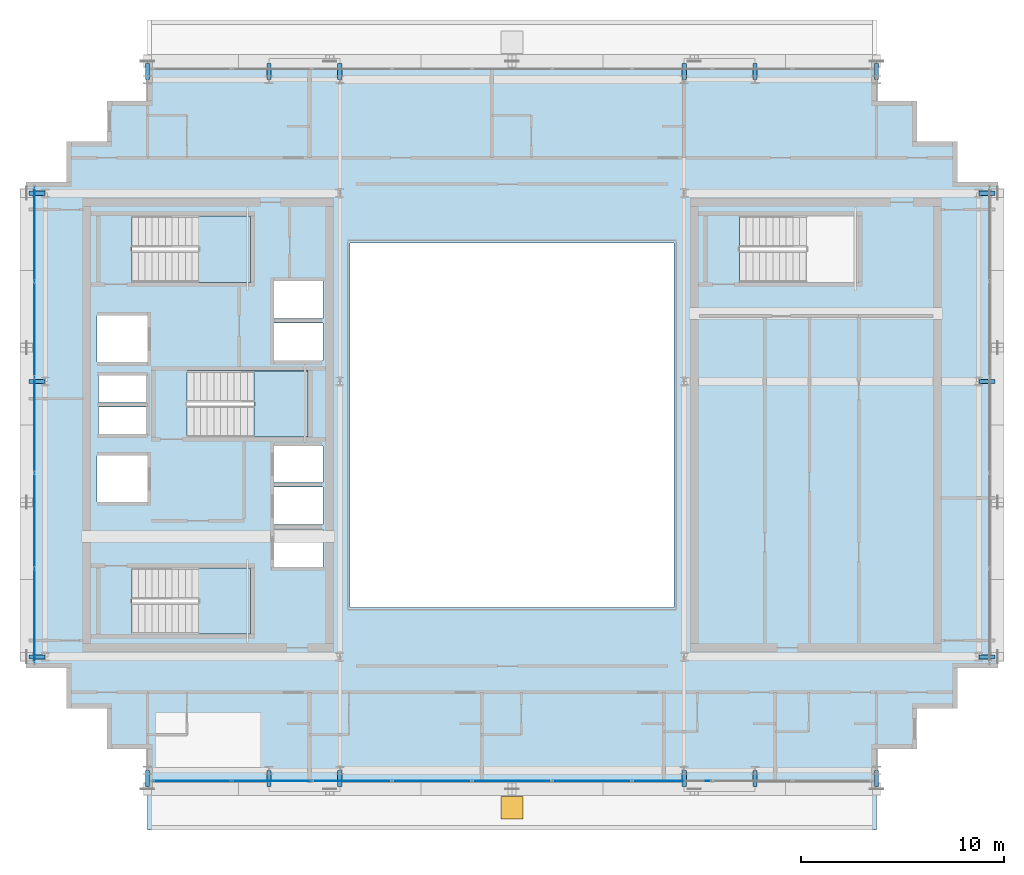
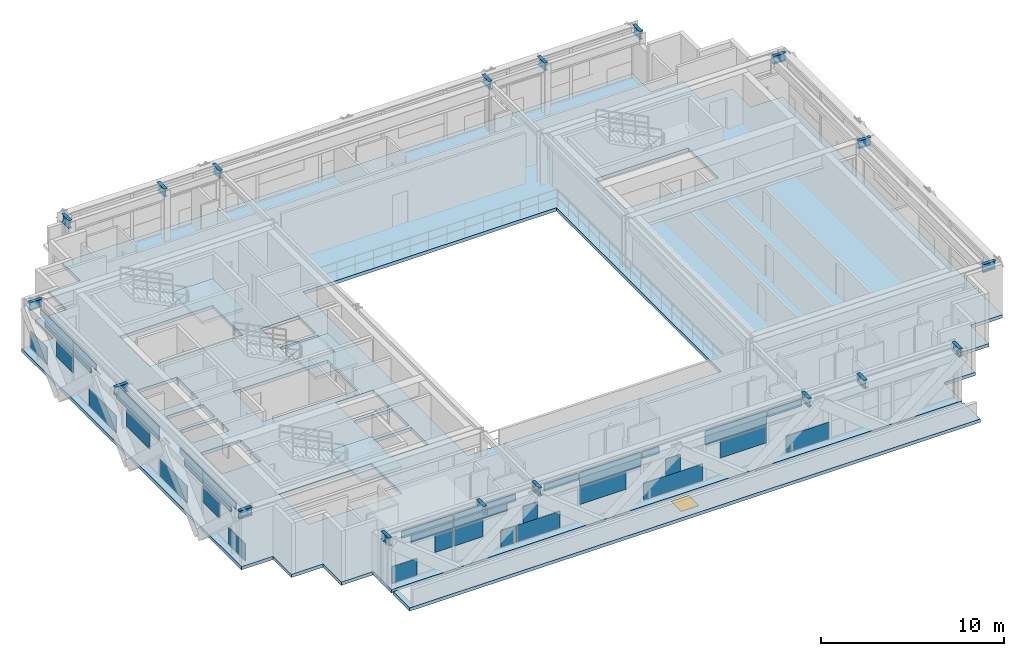
# One storey, part 16 of 27: 36 plates, 18 beams, 5 slabs, 1 door, 1 opening, 5 elements without a shape of their own.
"""IFC4 building model written with IfcOpenShell, lengths in metres."""

from ifc_helpers import new_model, si_unit, direction, frame, origin, origin_2d, place, context, subcontext, project, spatial, polyline, rectangle, i_section, outline, extrude, source, transform, mapped, material, layer, layer_set, material_profile, profile_set, type_object, element, fill, aggregate, save


model = new_model("IFC4")

# Units and contexts
model_context = context("Model", 3, precision=1e-05, world=origin(), true_north=direction((0.0, 1.0)))
body_context = subcontext(model_context, "Body", "Model", "MODEL_VIEW")
ifc_project = project(units=[si_unit("LENGTHUNIT", "METRE"), si_unit("AREAUNIT", "SQUARE_METRE"), si_unit("VOLUMEUNIT", "CUBIC_METRE"), si_unit("PLANEANGLEUNIT", "RADIAN"), si_unit("MASSUNIT", "GRAM", prefix="KILO")], contexts=[model_context])

# Site, building, storey
site_placement = place(None, origin())
site = spatial("IfcSite", under=ifc_project, at=site_placement, CompositionType="ELEMENT")
building_placement = place(site_placement, origin())
building = spatial("IfcBuilding", under=site, at=building_placement, Name="Ocotamira Hotel", CompositionType="ELEMENT")
storey_placement = place(building_placement, frame((0.0, 0.0, 232.800048828125)))
storey = spatial("IfcBuildingStorey", under=building, at=storey_placement, Name="L58", CompositionType="ELEMENT", Elevation=232.800048828125)

# Beams
ifc_material_1 = material(Name="Steel ASTM A992 Grade 50", Category="steel")
ifc_material_profile = material_profile(ifc_material_1, i_section(OverallWidth=0.2099609375, OverallDepth=0.537109375, WebThickness=0.010986328125, FlangeThickness=0.017333984375, FilletRadius=0.012939453125, at=origin_2d()), Name="W21X68")
ifc_profile_set = profile_set([ifc_material_profile], Name="Steel ASTM A992 Grade 50")
beam_type = type_object("IfcBeamType", Name="BM-SEC-W21X68", PredefinedType="JOIST", material=ifc_profile_set)
shared_shape_1 = source(origin(), body_context, "Body", "SweptSolid", [
    extrude(i_section(OverallWidth=0.2099609375, OverallDepth=0.537109375, WebThickness=0.010986328125, FlangeThickness=0.017333984375, FilletRadius=0.012939453125, at=origin_2d()), origin(), (0.0, 0.0, 1.0), 0.800048828125),
])
for number, where, z_axis, x_axis, name in (
    (1, (14.0, 8.949951171875, 3.111572265625), (0.0, -1.0, 0.0), (1.0, 0.0, 0.0), "L58 South Edge Header X14"),
    (2, (14.0, 43.050048828125, 3.111572265625), (0.0, 1.0, 0.0), (-1.0, 0.0, 0.0), "L58 North Edge Header X14"),
    (3, (20.0, 8.949951171875, 3.111572265625), (0.0, -1.0, 0.0), (1.0, 0.0, 0.0), "L58 South Edge Header X20"),
    (4, (20.0, 43.050048828125, 3.111572265625), (0.0, 1.0, 0.0), (-1.0, 0.0, 0.0), "L58 North Edge Header X20"),
    (5, (23.5, 8.949951171875, 3.111572265625), (0.0, -1.0, 0.0), (1.0, 0.0, 0.0), "L58 South Edge Header X23.5"),
    (6, (23.5, 43.050048828125, 3.111572265625), (0.0, 1.0, 0.0), (-1.0, 0.0, 0.0), "L58 North Edge Header X23.5"),
    (7, (40.5, 8.949951171875, 3.111572265625), (0.0, -1.0, 0.0), (1.0, 0.0, 0.0), "L58 South Edge Header X40.5"),
    (8, (40.5, 43.050048828125, 3.111572265625), (0.0, 1.0, 0.0), (-1.0, 0.0, 0.0), "L58 North Edge Header X40.5"),
    (9, (44.0, 8.949951171875, 3.111572265625), (0.0, -1.0, 0.0), (1.0, 0.0, 0.0), "L58 South Edge Header X44"),
    (10, (44.0, 43.050048828125, 3.111572265625), (0.0, 1.0, 0.0), (-1.0, 0.0, 0.0), "L58 North Edge Header X44"),
    (11, (50.0, 8.949951171875, 3.111572265625), (0.0, -1.0, 0.0), (1.0, 0.0, 0.0), "L58 South Edge Header X50"),
    (12, (50.0, 43.050048828125, 3.111572265625), (0.0, 1.0, 0.0), (-1.0, 0.0, 0.0), "L58 North Edge Header X50"),
    (13, (8.949951171875, 14.550048828125, 3.111572265625), (-1.0, 0.0, 0.0), (0.0, -1.0, 0.0), "L58 West Edge Header Y14.55"),
    (14, (55.050048828125, 14.550048828125, 3.111572265625), (1.0, 0.0, 0.0), (0.0, 1.0, 0.0), "L58 East Edge Header Y14.55"),
    (15, (8.949951171875, 28.14990234375, 3.111572265625), (-1.0, 0.0, 0.0), (0.0, -1.0, 0.0), "L58 West Edge Header Y28.15"),
    (16, (55.050048828125, 28.14990234375, 3.111572265625), (1.0, 0.0, 0.0), (0.0, 1.0, 0.0), "L58 East Edge Header Y28.15"),
    (17, (8.949951171875, 37.449951171875, 3.111572265625), (-1.0, 0.0, 0.0), (0.0, -1.0, 0.0), "L58 West Edge Header Y37.45"),
    (18, (55.050048828125, 37.449951171875, 3.111572265625), (1.0, 0.0, 0.0), (0.0, 1.0, 0.0), "L58 East Edge Header Y37.45"),
):
    element("IfcBeam", number, at=place(storey_placement, frame(where, z_axis=z_axis, x_axis=x_axis)), inside=storey, type_object=beam_type, Name=name, PredefinedType="JOIST", context=body_context, shape_type="MappedRepresentation", body=[
        mapped(shared_shape_1, transform((0.0, 0.0, 0.0), scale=1.0)),
    ])

# Stair, slab
ifc_material_2 = material(Name="Concrete C40/50", Category="concrete")
stair_type = type_object("IfcStairType", Name="ST-CORE-1560", PredefinedType="HALF_TURN_STAIR", material=ifc_material_2)
stair_1_placement = place(storey_placement, origin())
stair_1 = element("IfcStair", 19, at=stair_1_placement, inside=storey, type_object=stair_type, Name="L58 Exit Stair ST-1", PredefinedType="HALF_TURN_STAIR")
ifc_layer_1 = layer(ifc_material_2, 0.199951171875)
ifc_layer_set_1 = layer_set([ifc_layer_1], Name="Concrete C40/50")
slab_type_1 = type_object("IfcSlabType", Name="SLB-LAND-200", PredefinedType="LANDING", material=ifc_layer_set_1)
slab_1_placement = place(storey_placement, frame((0.0, 0.0, 1.599853515625)))
slab_1 = element("IfcSlab", 20, at=slab_1_placement, type_object=slab_type_1, Name="ST-1 landing 1", PredefinedType="LANDING", context=body_context, shape_type="SweptSolid", body=[
    extrude(outline(polyline([(16.530029296875, 15.669921875), (19.090087890625, 15.669921875), (19.090087890625, 18.949951171875), (16.530029296875, 18.949951171875), (16.530029296875, 15.669921875)])), origin(), (0.0, 0.0, 1.0), 0.2001953125),
])
aggregate(stair_1, [slab_1])

stair_2_placement = place(storey_placement, origin())
stair_2 = element("IfcStair", 21, at=stair_2_placement, inside=storey, type_object=stair_type, Name="L58 Exit Stair ST-2", PredefinedType="HALF_TURN_STAIR")
slab_2_placement = place(storey_placement, frame((0.0, 0.0, 1.599853515625)))
slab_2 = element("IfcSlab", 22, at=slab_2_placement, type_object=slab_type_1, Name="ST-2 landing 1", PredefinedType="LANDING", context=body_context, shape_type="SweptSolid", body=[
    extrude(outline(polyline([(16.530029296875, 33.050048828125), (19.090087890625, 33.050048828125), (19.090087890625, 36.330078125), (16.530029296875, 36.330078125), (16.530029296875, 33.050048828125)])), origin(), (0.0, 0.0, 1.0), 0.2001953125),
])
aggregate(stair_2, [slab_2])

stair_3_placement = place(storey_placement, origin())
stair_3 = element("IfcStair", 23, at=stair_3_placement, inside=storey, type_object=stair_type, Name="L58 Exit Stair ST-3", PredefinedType="HALF_TURN_STAIR")
slab_3_placement = place(storey_placement, frame((0.0, 0.0, 1.599853515625)))
slab_3 = element("IfcSlab", 24, at=slab_3_placement, type_object=slab_type_1, Name="ST-3 landing 1", PredefinedType="LANDING", context=body_context, shape_type="SweptSolid", body=[
    extrude(outline(polyline([(19.260009765625, 25.39990234375), (21.919921875, 25.39990234375), (21.919921875, 28.679931640625), (19.260009765625, 28.679931640625), (19.260009765625, 25.39990234375)])), origin(), (0.0, 0.0, 1.0), 0.2001953125),
])
aggregate(stair_3, [slab_3])

# Slab, opening, door
ifc_layer_2 = layer(ifc_material_2, 0.219970703125)
ifc_layer_set_2 = layer_set([ifc_layer_2], Name="Concrete C40/50")
slab_type_2 = type_object("IfcSlabType", Name="SLB-ROOF-220", PredefinedType="ROOF", material=ifc_layer_set_2)
slab_4_placement = place(storey_placement, frame((0.0, 0.0, -0.219970703125)))
slab_4 = element("IfcSlab", 25, at=slab_4_placement, inside=storey, type_object=slab_type_2, Name="L58 Setback Roof Z4-S", PredefinedType="ROOF", context=body_context, shape_type="SweptSolid", body=[
    extrude(outline(polyline([(14.0, 6.0), (50.0, 6.0), (50.0, 7.800048828125), (14.0, 7.800048828125), (14.0, 6.0)])), origin(), (0.0, 0.0, 1.0), 0.219970703125),
])
opening_placement = place(slab_4_placement, frame((32.0, 7.10009765625, 0.0)))
opening = element("IfcOpeningElement", 26, at=opening_placement, cuts=slab_4, Name="Opening RH-1", PredefinedType="OPENING", context=body_context, shape_type="SweptSolid", body=[
    extrude(rectangle(XDim=1.10009765625, YDim=1.10009765625, at=origin_2d()), frame((0.0, 0.0, -0.010009765625)), (0.0, 0.0, 1.0), 0.239990234375),
])
ifc_material_3 = material(Name="Insulated aluminium roof access hatch", Category="aluminium")
door_type = type_object("IfcDoorType", Name="DR-HATCH-1100", OperationType="NOTDEFINED", PredefinedType="TRAPDOOR", material=ifc_material_3)
door_placement = place(opening_placement, frame((0.0, 0.0, 0.169921875)))
door = element("IfcDoor", 27, at=door_placement, inside=storey, type_object=door_type, Name="L58 Maintenance Roof Hatch Z4S [RH-L58-Z4S]", OperationType="SINGLE_SWING_LEFT", OverallHeight=1.10009765625, OverallWidth=1.10009765625, PredefinedType="TRAPDOOR", context=body_context, shape_type="SweptSolid", body=[
    extrude(rectangle(XDim=1.10009765625, YDim=1.10009765625, at=origin_2d()), origin(), (0.0, 0.0, 1.0), 0.050048828125),
])
fill(opening, door)

# Slab
ifc_layer_3 = layer(ifc_material_2, 0.219970703125)
ifc_layer_set_3 = layer_set([ifc_layer_3], Name="Concrete C40/50")
slab_type_3 = type_object("IfcSlabType", Name="SLB-UPP-220", PredefinedType="FLOOR", material=ifc_layer_set_3)
slab_5_placement = place(storey_placement, frame((0.0, 0.0, -0.219970703125)))
element("IfcSlab", 28, at=slab_5_placement, inside=storey, type_object=slab_type_3, Name="L58 Structural Floor Slab", PredefinedType="FLOOR", context=body_context, shape_type="SweptSolid", body=[
    extrude(outline(polyline([(14.0, 8.0), (50.0, 8.0), (50.0, 10.0), (52.0, 10.0), (52.0, 12.0), (54.0, 12.0), (54.0, 14.0), (56.0, 14.0), (56.0, 38.0), (54.0, 38.0), (54.0, 40.0), (52.0, 40.0), (52.0, 42.0), (50.0, 42.0), (50.0, 44.0), (14.0, 44.0), (14.0, 42.0), (12.0, 42.0), (12.0, 40.0), (10.0, 40.0), (10.0, 38.0), (8.0, 38.0), (8.0, 14.0), (10.0, 14.0), (10.0, 12.0), (12.0, 12.0), (12.0, 10.0), (14.0, 10.0), (14.0, 8.0)]), holes=[polyline([(24.0, 17.0), (40.0, 17.0), (40.0, 35.0), (24.0, 35.0), (24.0, 17.0)]), polyline([(13.22998046875, 15.669921875), (19.090087890625, 15.669921875), (19.090087890625, 18.949951171875), (13.22998046875, 18.949951171875), (13.22998046875, 15.669921875)]), polyline([(13.22998046875, 33.050048828125), (19.090087890625, 33.050048828125), (19.090087890625, 36.330078125), (13.22998046875, 36.330078125), (13.22998046875, 33.050048828125)]), polyline([(15.9599609375, 25.39990234375), (21.919921875, 25.39990234375), (21.919921875, 28.679931640625), (15.9599609375, 28.679931640625), (15.9599609375, 25.39990234375)]), polyline([(43.22998046875, 33.050048828125), (49.090087890625, 33.050048828125), (49.090087890625, 36.330078125), (43.22998046875, 36.330078125), (43.22998046875, 33.050048828125)]), polyline([(20.25, 19.0), (22.659912109375, 19.0), (22.659912109375, 20.85009765625), (20.25, 20.85009765625), (20.25, 19.0)]), polyline([(20.25, 21.080078125), (22.659912109375, 21.080078125), (22.659912109375, 22.929931640625), (20.25, 22.929931640625), (20.25, 21.080078125)]), polyline([(20.25, 23.159912109375), (22.659912109375, 23.159912109375), (22.659912109375, 24.9599609375), (20.25, 24.9599609375), (20.25, 23.159912109375)]), polyline([(20.25, 29.179931640625), (22.659912109375, 29.179931640625), (22.659912109375, 31.030029296875), (20.25, 31.030029296875), (20.25, 29.179931640625)]), polyline([(20.25, 31.260009765625), (22.659912109375, 31.260009765625), (22.659912109375, 33.110107421875), (20.25, 33.110107421875), (20.25, 31.260009765625)]), polyline([(11.5, 22.199951171875), (14.0, 22.199951171875), (14.0, 24.5), (11.5, 24.5), (11.5, 22.199951171875)]), polyline([(11.5, 29.10009765625), (14.0, 29.10009765625), (14.0, 31.39990234375), (11.5, 31.39990234375), (11.5, 29.10009765625)]), polyline([(11.580078125, 25.550048828125), (13.919921875, 25.550048828125), (13.919921875, 26.89990234375), (11.580078125, 26.89990234375), (11.580078125, 25.550048828125)]), polyline([(11.580078125, 27.10009765625), (13.919921875, 27.10009765625), (13.919921875, 28.449951171875), (11.580078125, 28.449951171875), (11.580078125, 27.10009765625)])]), origin(), (0.0, 0.0, 1.0), 0.219970703125),
])

# Curtain wall, plates
ifc_material_4 = material(Name="Anodised pale-metal aluminium and solar glass", Category="aluminium")
ifc_layer_4 = layer(ifc_material_4, 0.239990234375)
ifc_layer_set_4 = layer_set([ifc_layer_4], Name="Anodised pale-metal aluminium and solar glass")
curtain_wall_type = type_object("IfcCurtainWallType", Name="CW-SYS5-SKY", PredefinedType="NOTDEFINED", material=ifc_layer_set_4)
curtain_wall_1_placement = place(storey_placement, origin())
curtain_wall_1 = element("IfcCurtainWall", 29, at=curtain_wall_1_placement, inside=storey, type_object=curtain_wall_type, Name="L58 Curtain Wall CW-5 CW-L58-S1", PredefinedType="NOTDEFINED")
ifc_material_5 = material(Name="Double-silver low-E insulated solar glass", Category="glass")
ifc_layer_5 = layer(ifc_material_5, 0.031982421875)
ifc_layer_set_5 = layer_set([ifc_layer_5], Name="Double-silver low-E insulated solar glass")
plate_type = type_object("IfcPlateType", Name="CWP-VISION-32", PredefinedType="CURTAIN_PANEL", material=ifc_layer_set_5)
shared_shape_2 = source(origin(), body_context, "Body", "SweptSolid", [
    extrude(rectangle(XDim=3.233154296875, YDim=0.031982421875, at=origin_2d()), origin(), (0.0, 0.0, 1.0), 0.4326171875),
])
plate_1_placement = place(storey_placement, frame((16.4990234375, 8.419921875, 2.872314453125), z_axis=(0.0, 0.0, 1.0), x_axis=(1.0, 0.0, 0.0)))
plate_1 = element("IfcPlate", 30, at=plate_1_placement, type_object=plate_type, Name="CW-5 panel 1.2.1", PredefinedType="CURTAIN_PANEL", context=body_context, shape_type="MappedRepresentation", body=[
    mapped(shared_shape_2, transform((0.0, 0.0, 0.0), scale=1.0)),
])
shared_shape_3 = source(origin(), body_context, "Body", "SweptSolid", [
    extrude(rectangle(XDim=3.87548828125, YDim=0.031982421875, at=origin_2d()), origin(), (0.0, 0.0, 1.0), 0.4326171875),
])
plate_2_placement = place(storey_placement, frame((20.13330078125, 8.419921875, 2.872314453125), z_axis=(0.0, 0.0, 1.0), x_axis=(1.0, 0.0, 0.0)))
plate_2 = element("IfcPlate", 31, at=plate_2_placement, type_object=plate_type, Name="CW-5 panel 2.2.2", PredefinedType="CURTAIN_PANEL", context=body_context, shape_type="MappedRepresentation", body=[
    mapped(shared_shape_3, transform((0.0, 0.0, 0.0), scale=1.0)),
])
shared_shape_4 = source(origin(), body_context, "Body", "SweptSolid", [
    extrude(rectangle(XDim=2.144287109375, YDim=0.031982421875, at=origin_2d()), origin(), (0.0, 0.0, 1.0), 0.4326171875),
])
plate_3_placement = place(storey_placement, frame((24.95458984375, 8.419921875, 2.872314453125), z_axis=(0.0, 0.0, 1.0), x_axis=(1.0, 0.0, 0.0)))
plate_3 = element("IfcPlate", 32, at=plate_3_placement, type_object=plate_type, Name="CW-5 panel 3.2.1", PredefinedType="CURTAIN_PANEL", context=body_context, shape_type="MappedRepresentation", body=[
    mapped(shared_shape_4, transform((0.0, 0.0, 0.0), scale=1.0)),
])
plate_4_placement = place(storey_placement, frame((39.04541015625, 8.419921875, 2.872314453125), z_axis=(0.0, 0.0, 1.0), x_axis=(1.0, 0.0, 0.0)))
plate_4 = element("IfcPlate", 33, at=plate_4_placement, type_object=plate_type, Name="CW-5 panel 7.2.1", PredefinedType="CURTAIN_PANEL", context=body_context, shape_type="MappedRepresentation", body=[
    mapped(shared_shape_4, transform((0.0, 0.0, 0.0), scale=1.0)),
])
shared_shape_5 = source(origin(), body_context, "Body", "SweptSolid", [
    extrude(rectangle(XDim=1.055419921875, YDim=0.031982421875, at=origin_2d()), origin(), (0.0, 0.0, 1.0), 0.4326171875),
])
plate_5_placement = place(storey_placement, frame((30.58984375, 8.419921875, 2.872314453125), z_axis=(0.0, 0.0, 1.0), x_axis=(1.0, 0.0, 0.0)))
plate_5 = element("IfcPlate", 34, at=plate_5_placement, type_object=plate_type, Name="CW-5 panel 5.2.1", PredefinedType="CURTAIN_PANEL", context=body_context, shape_type="MappedRepresentation", body=[
    mapped(shared_shape_5, transform((0.0, 0.0, 0.0), scale=1.0)),
])
shared_shape_6 = source(origin(), body_context, "Body", "SweptSolid", [
    extrude(rectangle(XDim=2.91259765625, YDim=0.031982421875, at=origin_2d()), origin(), (0.0, 0.0, 1.0), 1.118896484375),
])
plate_6_placement = place(storey_placement, frame((27.56298828125, 8.419921875, 1.193359375), z_axis=(0.0, 0.0, 1.0), x_axis=(1.0, 0.0, 0.0)))
plate_6 = element("IfcPlate", 35, at=plate_6_placement, type_object=plate_type, Name="CW-5 panel 4.1.1", PredefinedType="CURTAIN_PANEL", context=body_context, shape_type="MappedRepresentation", body=[
    mapped(shared_shape_6, transform((0.0, 0.0, 0.0), scale=1.0)),
])
plate_7_placement = place(storey_placement, frame((36.43701171875, 8.419921875, 1.193359375), z_axis=(0.0, 0.0, 1.0), x_axis=(1.0, 0.0, 0.0)))
plate_7 = element("IfcPlate", 36, at=plate_7_placement, type_object=plate_type, Name="CW-5 panel 6.1.1", PredefinedType="CURTAIN_PANEL", context=body_context, shape_type="MappedRepresentation", body=[
    mapped(shared_shape_6, transform((0.0, 0.0, 0.0), scale=1.0)),
])
shared_shape_7 = source(origin(), body_context, "Body", "SweptSolid", [
    extrude(rectangle(XDim=1.580078125, YDim=0.031982421875, at=origin_2d()), origin(), (0.0, 0.0, 1.0), 1.118896484375),
])
plate_8_placement = place(storey_placement, frame((15.070068359375, 8.419921875, 0.07470703125), z_axis=(0.0, 0.0, 1.0), x_axis=(1.0, 0.0, 0.0)))
plate_8 = element("IfcPlate", 37, at=plate_8_placement, type_object=plate_type, Name="CW-5 panel 1.1.1", PredefinedType="CURTAIN_PANEL", context=body_context, shape_type="MappedRepresentation", body=[
    mapped(shared_shape_7, transform((0.0, 0.0, 0.0), scale=1.0)),
])
shared_shape_8 = source(origin(), body_context, "Body", "SweptSolid", [
    extrude(rectangle(XDim=1.135009765625, YDim=0.031982421875, at=origin_2d()), origin(), (0.0, 0.0, 1.0), 1.118896484375),
])
plate_9_placement = place(storey_placement, frame((17.548095703125, 8.419921875, 1.193359375), z_axis=(0.0, 0.0, 1.0), x_axis=(1.0, 0.0, 0.0)))
plate_9 = element("IfcPlate", 38, at=plate_9_placement, type_object=plate_type, Name="CW-5 panel 1.1.2", PredefinedType="CURTAIN_PANEL", context=body_context, shape_type="MappedRepresentation", body=[
    mapped(shared_shape_8, transform((0.0, 0.0, 0.0), scale=1.0)),
])
shared_shape_9 = source(origin(), body_context, "Body", "SweptSolid", [
    extrude(rectangle(XDim=2.627197265625, YDim=0.031982421875, at=origin_2d()), origin(), (0.0, 0.0, 1.0), 0.45361328125),
])
plate_10_placement = place(storey_placement, frame((16.802001953125, 8.419921875, 2.387451171875), z_axis=(0.0, 0.0, 1.0), x_axis=(1.0, 0.0, 0.0)))
plate_10 = element("IfcPlate", 39, at=plate_10_placement, type_object=plate_type, Name="CW-5 panel 1.2.2", PredefinedType="CURTAIN_PANEL", context=body_context, shape_type="MappedRepresentation", body=[
    mapped(shared_shape_9, transform((0.0, 0.0, 0.0), scale=1.0)),
])
shared_shape_10 = source(origin(), body_context, "Body", "SweptSolid", [
    extrude(rectangle(XDim=1.823974609375, YDim=0.031982421875, at=origin_2d()), origin(), (0.0, 0.0, 1.0), 1.118896484375),
])
plate_11_placement = place(storey_placement, frame((19.107421875, 8.419921875, 1.193359375), z_axis=(0.0, 0.0, 1.0), x_axis=(1.0, 0.0, 0.0)))
plate_11 = element("IfcPlate", 40, at=plate_11_placement, type_object=plate_type, Name="CW-5 panel 2.1.1", PredefinedType="CURTAIN_PANEL", context=body_context, shape_type="MappedRepresentation", body=[
    mapped(shared_shape_10, transform((0.0, 0.0, 0.0), scale=1.0)),
])
shared_shape_11 = source(origin(), body_context, "Body", "SweptSolid", [
    extrude(rectangle(XDim=0.93115234375, YDim=0.031982421875, at=origin_2d()), origin(), (0.0, 0.0, 1.0), 1.118896484375),
])
plate_12_placement = place(storey_placement, frame((21.60546875, 8.419921875, 0.07470703125), z_axis=(0.0, 0.0, 1.0), x_axis=(1.0, 0.0, 0.0)))
plate_12 = element("IfcPlate", 41, at=plate_12_placement, type_object=plate_type, Name="CW-5 panel 2.1.2", PredefinedType="CURTAIN_PANEL", context=body_context, shape_type="MappedRepresentation", body=[
    mapped(shared_shape_11, transform((0.0, 0.0, 0.0), scale=1.0)),
])
shared_shape_12 = source(origin(), body_context, "Body", "SweptSolid", [
    extrude(rectangle(XDim=3.31591796875, YDim=0.031982421875, at=origin_2d()), origin(), (0.0, 0.0, 1.0), 0.48486328125),
])
plate_13_placement = place(storey_placement, frame((19.853515625, 8.419921875, 2.387451171875), z_axis=(0.0, 0.0, 1.0), x_axis=(1.0, 0.0, 0.0)))
plate_13 = element("IfcPlate", 42, at=plate_13_placement, type_object=plate_type, Name="CW-5 panel 2.2.1", PredefinedType="CURTAIN_PANEL", context=body_context, shape_type="MappedRepresentation", body=[
    mapped(shared_shape_12, transform((0.0, 0.0, 0.0), scale=1.0)),
])
shared_shape_13 = source(origin(), body_context, "Body", "SweptSolid", [
    extrude(rectangle(XDim=2.708984375, YDim=0.031982421875, at=origin_2d()), origin(), (0.0, 0.0, 1.0), 1.118896484375),
])
plate_14_placement = place(storey_placement, frame((23.505615234375, 8.419921875, 0.07470703125), z_axis=(0.0, 0.0, 1.0), x_axis=(1.0, 0.0, 0.0)))
plate_14 = element("IfcPlate", 43, at=plate_14_placement, type_object=plate_type, Name="CW-5 panel 3.1.1", PredefinedType="CURTAIN_PANEL", context=body_context, shape_type="MappedRepresentation", body=[
    mapped(shared_shape_13, transform((0.0, 0.0, 0.0), scale=1.0)),
])
plate_15_placement = place(storey_placement, frame((40.494384765625, 8.419921875, 0.07470703125), z_axis=(0.0, 0.0, 1.0), x_axis=(1.0, 0.0, 0.0)))
plate_15 = element("IfcPlate", 44, at=plate_15_placement, type_object=plate_type, Name="CW-5 panel 7.1.1", PredefinedType="CURTAIN_PANEL", context=body_context, shape_type="MappedRepresentation", body=[
    mapped(shared_shape_13, transform((0.0, 0.0, 0.0), scale=1.0)),
])
shared_shape_14 = source(origin(), body_context, "Body", "SweptSolid", [
    extrude(rectangle(XDim=0.923095703125, YDim=0.031982421875, at=origin_2d()), origin(), (0.0, 0.0, 1.0), 1.118896484375),
])
plate_16_placement = place(storey_placement, frame((23.0, 8.419921875, 1.193359375), z_axis=(0.0, 0.0, 1.0), x_axis=(1.0, 0.0, 0.0)))
plate_16 = element("IfcPlate", 45, at=plate_16_placement, type_object=plate_type, Name="CW-5 panel 3.1.2", PredefinedType="CURTAIN_PANEL", context=body_context, shape_type="MappedRepresentation", body=[
    mapped(shared_shape_14, transform((0.0, 0.0, 0.0), scale=1.0)),
])
plate_17_placement = place(storey_placement, frame((32.0, 8.419921875, 1.193359375), z_axis=(0.0, 0.0, 1.0), x_axis=(1.0, 0.0, 0.0)))
plate_17 = element("IfcPlate", 46, at=plate_17_placement, type_object=plate_type, Name="CW-5 panel 5.1.2", PredefinedType="CURTAIN_PANEL", context=body_context, shape_type="MappedRepresentation", body=[
    mapped(shared_shape_14, transform((0.0, 0.0, 0.0), scale=1.0)),
])
shared_shape_15 = source(origin(), body_context, "Body", "SweptSolid", [
    extrude(rectangle(XDim=3.87548828125, YDim=0.031982421875, at=origin_2d()), origin(), (0.0, 0.0, 1.0), 0.91748046875),
])
plate_18_placement = place(storey_placement, frame((28.04443359375, 8.419921875, 2.387451171875), z_axis=(0.0, 0.0, 1.0), x_axis=(1.0, 0.0, 0.0)))
plate_18 = element("IfcPlate", 47, at=plate_18_placement, type_object=plate_type, Name="CW-5 panel 4.2", PredefinedType="CURTAIN_PANEL", context=body_context, shape_type="MappedRepresentation", body=[
    mapped(shared_shape_15, transform((0.0, 0.0, 0.0), scale=1.0)),
])
plate_19_placement = place(storey_placement, frame((35.95556640625, 8.419921875, 2.387451171875), z_axis=(0.0, 0.0, 1.0), x_axis=(1.0, 0.0, 0.0)))
plate_19 = element("IfcPlate", 48, at=plate_19_placement, type_object=plate_type, Name="CW-5 panel 6.2", PredefinedType="CURTAIN_PANEL", context=body_context, shape_type="MappedRepresentation", body=[
    mapped(shared_shape_15, transform((0.0, 0.0, 0.0), scale=1.0)),
])
shared_shape_16 = source(origin(), body_context, "Body", "SweptSolid", [
    extrude(rectangle(XDim=3.72021484375, YDim=0.031982421875, at=origin_2d()), origin(), (0.0, 0.0, 1.0), 1.118896484375),
])
plate_20_placement = place(storey_placement, frame((32.0, 8.419921875, 0.07470703125), z_axis=(0.0, 0.0, 1.0), x_axis=(1.0, 0.0, 0.0)))
plate_20 = element("IfcPlate", 49, at=plate_20_placement, type_object=plate_type, Name="CW-5 panel 5.1.1", PredefinedType="CURTAIN_PANEL", context=body_context, shape_type="MappedRepresentation", body=[
    mapped(shared_shape_16, transform((0.0, 0.0, 0.0), scale=1.0)),
])
aggregate(curtain_wall_1, [plate_8, plate_9, plate_1, plate_10, plate_11, plate_12, plate_13, plate_2, plate_14, plate_16, plate_3, plate_6, plate_18, plate_20, plate_17, plate_5, plate_7, plate_19, plate_15, plate_4])

curtain_wall_2_placement = place(storey_placement, origin())
curtain_wall_2 = element("IfcCurtainWall", 50, at=curtain_wall_2_placement, inside=storey, type_object=curtain_wall_type, Name="L58 Curtain Wall CW-5 CW-L58-W", PredefinedType="NOTDEFINED")
shared_shape_17 = source(origin(), body_context, "Body", "SweptSolid", [
    extrude(rectangle(XDim=1.812744140625, YDim=0.031982421875, at=origin_2d()), origin(), (0.0, 0.0, 1.0), 1.118896484375),
])
plate_21_placement = place(storey_placement, frame((8.419921875, 15.186279296875, 0.07470703125), z_axis=(0.0, 0.0, 1.0), x_axis=(0.0, 1.0, 0.0)))
plate_21 = element("IfcPlate", 51, at=plate_21_placement, type_object=plate_type, Name="CW-5 panel 1.1.1", PredefinedType="CURTAIN_PANEL", context=body_context, shape_type="MappedRepresentation", body=[
    mapped(shared_shape_17, transform((0.0, 0.0, 0.0), scale=1.0)),
])
plate_22_placement = place(storey_placement, frame((8.419921875, 36.813720703125, 0.07470703125), z_axis=(0.0, 0.0, 1.0), x_axis=(0.0, 1.0, 0.0)))
plate_22 = element("IfcPlate", 52, at=plate_22_placement, type_object=plate_type, Name="CW-5 panel 5.1.2", PredefinedType="CURTAIN_PANEL", context=body_context, shape_type="MappedRepresentation", body=[
    mapped(shared_shape_17, transform((0.0, 0.0, 0.0), scale=1.0)),
])
shared_shape_18 = source(origin(), body_context, "Body", "SweptSolid", [
    extrude(rectangle(XDim=1.76708984375, YDim=0.031982421875, at=origin_2d()), origin(), (0.0, 0.0, 1.0), 1.118896484375),
])
plate_23_placement = place(storey_placement, frame((8.419921875, 17.996337890625, 1.193359375), z_axis=(0.0, 0.0, 1.0), x_axis=(0.0, 1.0, 0.0)))
plate_23 = element("IfcPlate", 53, at=plate_23_placement, type_object=plate_type, Name="CW-5 panel 1.1.2", PredefinedType="CURTAIN_PANEL", context=body_context, shape_type="MappedRepresentation", body=[
    mapped(shared_shape_18, transform((0.0, 0.0, 0.0), scale=1.0)),
])
plate_24_placement = place(storey_placement, frame((8.419921875, 34.003662109375, 1.193359375), z_axis=(0.0, 0.0, 1.0), x_axis=(0.0, 1.0, 0.0)))
plate_24 = element("IfcPlate", 54, at=plate_24_placement, type_object=plate_type, Name="CW-5 panel 5.1.1", PredefinedType="CURTAIN_PANEL", context=body_context, shape_type="MappedRepresentation", body=[
    mapped(shared_shape_18, transform((0.0, 0.0, 0.0), scale=1.0)),
])
shared_shape_19 = source(origin(), body_context, "Body", "SweptSolid", [
    extrude(rectangle(XDim=3.568115234375, YDim=0.031982421875, at=origin_2d()), origin(), (0.0, 0.0, 1.0), 0.41259765625),
])
plate_25_placement = place(storey_placement, frame((8.419921875, 17.095947265625, 2.892333984375), z_axis=(0.0, 0.0, 1.0), x_axis=(0.0, 1.0, 0.0)))
plate_25 = element("IfcPlate", 55, at=plate_25_placement, type_object=plate_type, Name="CW-5 panel 1.2.1", PredefinedType="CURTAIN_PANEL", context=body_context, shape_type="MappedRepresentation", body=[
    mapped(shared_shape_19, transform((0.0, 0.0, 0.0), scale=1.0)),
])
plate_26_placement = place(storey_placement, frame((8.419921875, 34.904052734375, 2.892333984375), z_axis=(0.0, 0.0, 1.0), x_axis=(0.0, 1.0, 0.0)))
plate_26 = element("IfcPlate", 56, at=plate_26_placement, type_object=plate_type, Name="CW-5 panel 5.2.2", PredefinedType="CURTAIN_PANEL", context=body_context, shape_type="MappedRepresentation", body=[
    mapped(shared_shape_19, transform((0.0, 0.0, 0.0), scale=1.0)),
])
shared_shape_20 = source(origin(), body_context, "Body", "SweptSolid", [
    extrude(rectangle(XDim=3.03271484375, YDim=0.031982421875, at=origin_2d()), origin(), (0.0, 0.0, 1.0), 0.470703125),
])
plate_27_placement = place(storey_placement, frame((8.419921875, 17.363525390625, 2.387451171875), z_axis=(0.0, 0.0, 1.0), x_axis=(0.0, 1.0, 0.0)))
plate_27 = element("IfcPlate", 57, at=plate_27_placement, type_object=plate_type, Name="CW-5 panel 1.2.2", PredefinedType="CURTAIN_PANEL", context=body_context, shape_type="MappedRepresentation", body=[
    mapped(shared_shape_20, transform((0.0, 0.0, 0.0), scale=1.0)),
])
plate_28_placement = place(storey_placement, frame((8.419921875, 34.636474609375, 2.387451171875), z_axis=(0.0, 0.0, 1.0), x_axis=(0.0, 1.0, 0.0)))
plate_28 = element("IfcPlate", 58, at=plate_28_placement, type_object=plate_type, Name="CW-5 panel 5.2.1", PredefinedType="CURTAIN_PANEL", context=body_context, shape_type="MappedRepresentation", body=[
    mapped(shared_shape_20, transform((0.0, 0.0, 0.0), scale=1.0)),
])
shared_shape_21 = source(origin(), body_context, "Body", "SweptSolid", [
    extrude(rectangle(XDim=2.95947265625, YDim=0.031982421875, at=origin_2d()), origin(), (0.0, 0.0, 1.0), 1.118896484375),
])
plate_29_placement = place(storey_placement, frame((8.419921875, 22.120361328125, 0.07470703125), z_axis=(0.0, 0.0, 1.0), x_axis=(0.0, 1.0, 0.0)))
plate_29 = element("IfcPlate", 59, at=plate_29_placement, type_object=plate_type, Name="CW-5 panel 2.1.1", PredefinedType="CURTAIN_PANEL", context=body_context, shape_type="MappedRepresentation", body=[
    mapped(shared_shape_21, transform((0.0, 0.0, 0.0), scale=1.0)),
])
plate_30_placement = place(storey_placement, frame((8.419921875, 29.879638671875, 0.07470703125), z_axis=(0.0, 0.0, 1.0), x_axis=(0.0, 1.0, 0.0)))
plate_30 = element("IfcPlate", 60, at=plate_30_placement, type_object=plate_type, Name="CW-5 panel 4.1.1", PredefinedType="CURTAIN_PANEL", context=body_context, shape_type="MappedRepresentation", body=[
    mapped(shared_shape_21, transform((0.0, 0.0, 0.0), scale=1.0)),
])
shared_shape_22 = source(origin(), body_context, "Body", "SweptSolid", [
    extrude(rectangle(XDim=1.926025390625, YDim=0.031982421875, at=origin_2d()), origin(), (0.0, 0.0, 1.0), 0.470703125),
])
plate_31_placement = place(storey_placement, frame((8.419921875, 19.923095703125, 2.387451171875), z_axis=(0.0, 0.0, 1.0), x_axis=(0.0, 1.0, 0.0)))
plate_31 = element("IfcPlate", 61, at=plate_31_placement, type_object=plate_type, Name="CW-5 panel 2.2.1", PredefinedType="CURTAIN_PANEL", context=body_context, shape_type="MappedRepresentation", body=[
    mapped(shared_shape_22, transform((0.0, 0.0, 0.0), scale=1.0)),
])
plate_32_placement = place(storey_placement, frame((8.419921875, 32.076904296875, 2.387451171875), z_axis=(0.0, 0.0, 1.0), x_axis=(0.0, 1.0, 0.0)))
plate_32 = element("IfcPlate", 62, at=plate_32_placement, type_object=plate_type, Name="CW-5 panel 4.2.2", PredefinedType="CURTAIN_PANEL", context=body_context, shape_type="MappedRepresentation", body=[
    mapped(shared_shape_22, transform((0.0, 0.0, 0.0), scale=1.0)),
])
shared_shape_23 = source(origin(), body_context, "Body", "SweptSolid", [
    extrude(rectangle(XDim=2.46142578125, YDim=0.031982421875, at=origin_2d()), origin(), (0.0, 0.0, 1.0), 0.41259765625),
])
plate_33_placement = place(storey_placement, frame((8.419921875, 20.190673828125, 2.892333984375), z_axis=(0.0, 0.0, 1.0), x_axis=(0.0, 1.0, 0.0)))
plate_33 = element("IfcPlate", 63, at=plate_33_placement, type_object=plate_type, Name="CW-5 panel 2.2.2", PredefinedType="CURTAIN_PANEL", context=body_context, shape_type="MappedRepresentation", body=[
    mapped(shared_shape_23, transform((0.0, 0.0, 0.0), scale=1.0)),
])
plate_34_placement = place(storey_placement, frame((8.419921875, 31.809326171875, 2.892333984375), z_axis=(0.0, 0.0, 1.0), x_axis=(0.0, 1.0, 0.0)))
plate_34 = element("IfcPlate", 64, at=plate_34_placement, type_object=plate_type, Name="CW-5 panel 4.2.1", PredefinedType="CURTAIN_PANEL", context=body_context, shape_type="MappedRepresentation", body=[
    mapped(shared_shape_23, transform((0.0, 0.0, 0.0), scale=1.0)),
])
shared_shape_24 = source(origin(), body_context, "Body", "SweptSolid", [
    extrude(rectangle(XDim=2.507568359375, YDim=0.031982421875, at=origin_2d()), origin(), (0.0, 0.0, 1.0), 1.118896484375),
])
plate_35_placement = place(storey_placement, frame((8.419921875, 26.0, 1.193359375), z_axis=(0.0, 0.0, 1.0), x_axis=(0.0, 1.0, 0.0)))
plate_35 = element("IfcPlate", 65, at=plate_35_placement, type_object=plate_type, Name="CW-5 panel 3.1.1", PredefinedType="CURTAIN_PANEL", context=body_context, shape_type="MappedRepresentation", body=[
    mapped(shared_shape_24, transform((0.0, 0.0, 0.0), scale=1.0)),
])
shared_shape_25 = source(origin(), body_context, "Body", "SweptSolid", [
    extrude(rectangle(XDim=4.639892578125, YDim=0.031982421875, at=origin_2d()), origin(), (0.0, 0.0, 1.0), 0.91748046875),
])
plate_36_placement = place(storey_placement, frame((8.419921875, 26.0, 2.387451171875), z_axis=(0.0, 0.0, 1.0), x_axis=(0.0, 1.0, 0.0)))
plate_36 = element("IfcPlate", 66, at=plate_36_placement, type_object=plate_type, Name="CW-5 panel 3.2", PredefinedType="CURTAIN_PANEL", context=body_context, shape_type="MappedRepresentation", body=[
    mapped(shared_shape_25, transform((0.0, 0.0, 0.0), scale=1.0)),
])
aggregate(curtain_wall_2, [plate_21, plate_23, plate_25, plate_27, plate_29, plate_31, plate_33, plate_35, plate_36, plate_30, plate_34, plate_32, plate_24, plate_22, plate_28, plate_26])

save(model, "model.ifc")
